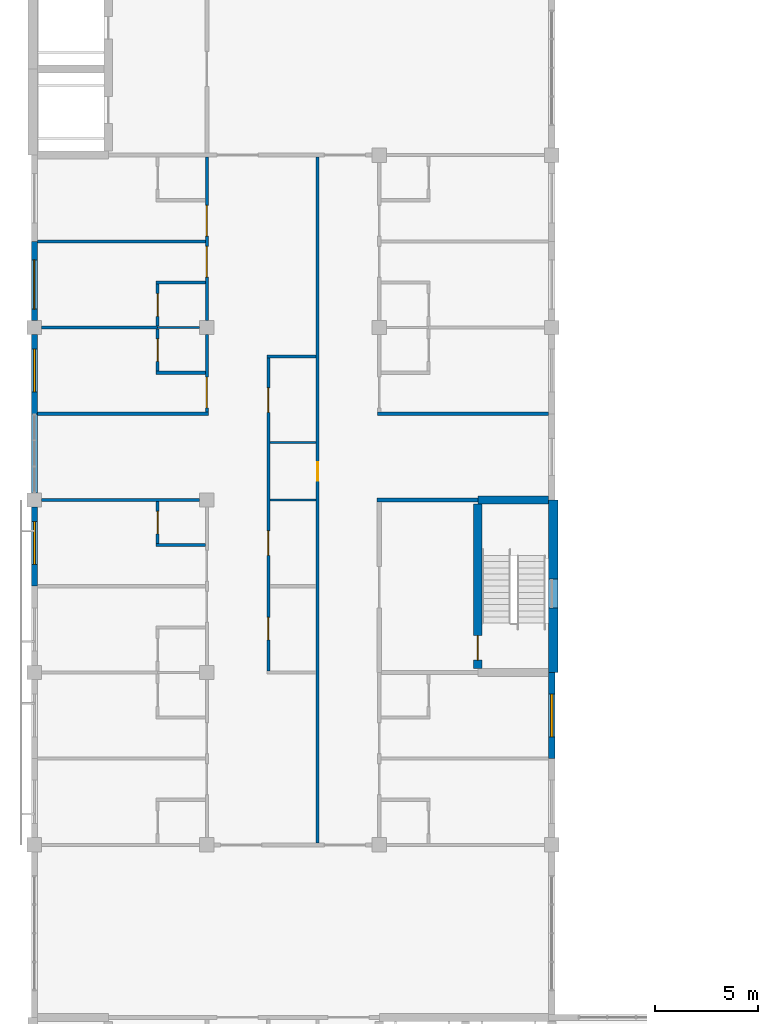
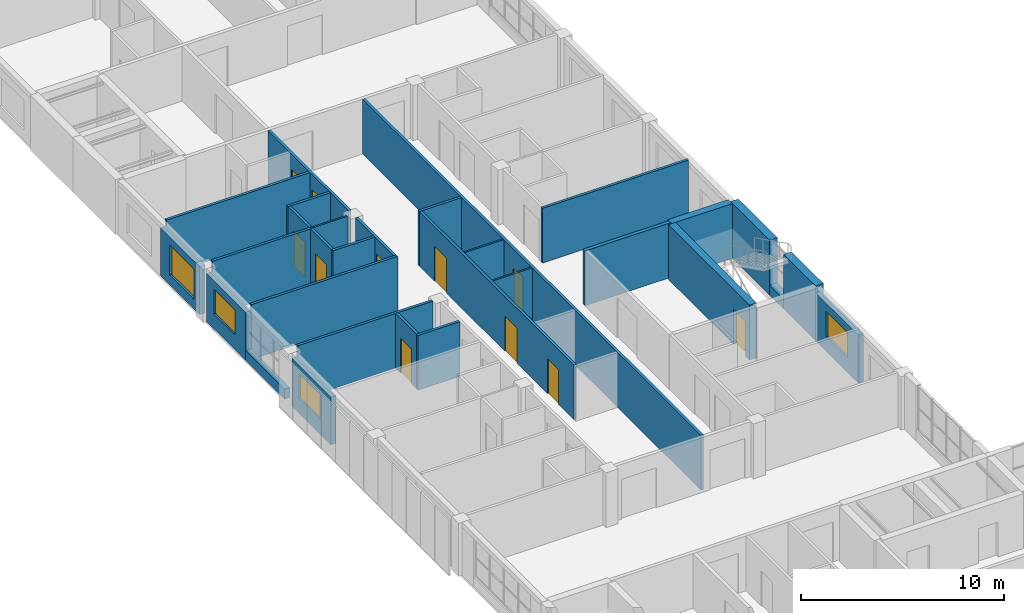
# One storey, part 30 of 48: 30 walls, 11 doors, 4 windows, 15 openings.
"""IFC4 building model written with IfcOpenShell, lengths in metres."""

from ifc_helpers import new_model, si_unit, direction, frame, frame_2d, origin, place, context, subcontext, project, spatial, rectangle, extrude, material, layer, layer_set, type_object, element, fill, save


model = new_model("IFC4")

# Units and contexts
model_context = context("Model", 3, precision=1e-05, world=origin(), true_north=direction((0.0, 1.0)))
body_context = subcontext(model_context, "Body", "Model", "MODEL_VIEW")
ifc_project = project(units=[si_unit("LENGTHUNIT", "METRE"), si_unit("AREAUNIT", "SQUARE_METRE"), si_unit("VOLUMEUNIT", "CUBIC_METRE"), si_unit("PLANEANGLEUNIT", "RADIAN"), si_unit("MASSUNIT", "GRAM", prefix="KILO")], contexts=[model_context])

# Site, building, storey
site_placement = place(None, origin())
site = spatial("IfcSite", under=ifc_project, at=site_placement, CompositionType="ELEMENT")
building_placement = place(site_placement, origin())
building = spatial("IfcBuilding", under=site, at=building_placement, Name="Yavir Park General Hospital", CompositionType="ELEMENT")
storey_placement = place(building_placement, frame((0.0, 0.0, 26.10009765625)))
storey = spatial("IfcBuildingStorey", under=building, at=storey_placement, Name="L06", CompositionType="ELEMENT", Elevation=26.10009765625)

# Walls
ifc_material_1 = material(Name="Double gypsum board fire partition on steel studs", Category="steel")
ifc_layer_1 = layer(ifc_material_1, 0.199951171875)
ifc_layer_set_1 = layer_set([ifc_layer_1], Name="Double gypsum board fire partition on steel studs")
wall_type_1 = type_object("IfcWallType", Name="Fire-rated partition 200, EI 60", PredefinedType="PARTITIONING", material=ifc_layer_set_1)
wall_1_placement = place(storey_placement, frame((16.699951171875, 50.39990234375, 0.0), z_axis=(0.0, 0.0, 1.0), x_axis=(1.0, 0.0, 0.0)))
element("IfcWall", 1, at=wall_1_placement, inside=storey, type_object=wall_type_1, Name="FP20 L06-079", PredefinedType="PARTITIONING", context=body_context, shape_type="SweptSolid", body=[
    extrude(rectangle(XDim=4.900146484375, YDim=0.199951171875, at=frame_2d((2.4501953125, 0.0))), origin(), (0.0, 0.0, 1.0), 3.2998046875),
])
ifc_material_2 = material(Name="Gypsum board partition on steel studs", Category="steel")
ifc_layer_2 = layer(ifc_material_2, 0.10009765625)
ifc_layer_set_2 = layer_set([ifc_layer_2], Name="Gypsum board partition on steel studs")
wall_type_2 = type_object("IfcWallType", Name="Gypsum board partition 100", PredefinedType="PARTITIONING", material=ifc_layer_set_2)
for number, where, z_axis, x_axis, name in (
    (2, (11.47509765625, 50.39990234375, 0.0), (0.0, 0.0, 1.0), (1.0, 0.0, 0.0), "P10 L06-078"),
    (3, (11.47509765625, 53.199951171875, 0.0), (0.0, 0.0, 1.0), (1.0, 0.0, 0.0), "P10 L06-081"),
):
    element("IfcWall", number, at=place(storey_placement, frame(where, z_axis=z_axis, x_axis=x_axis)), inside=storey, type_object=wall_type_2, Name=name, PredefinedType="PARTITIONING", context=body_context, shape_type="SweptSolid", body=[
        extrude(rectangle(XDim=2.25, YDim=0.10009765625, at=frame_2d((1.125, 0.0))), origin(), (0.0, 0.0, 1.0), 3.2998046875),
    ])
wall_2_placement = place(storey_placement, frame((6.0, 58.800048828125, 0.0), z_axis=(0.0, 0.0, 1.0), x_axis=(1.0, 0.0, 0.0)))
element("IfcWall", 4, at=wall_2_placement, inside=storey, type_object=wall_type_2, Name="P10 L06-088", PredefinedType="PARTITIONING", context=body_context, shape_type="SweptSolid", body=[
    extrude(rectangle(XDim=2.050048828125, YDim=0.10009765625, at=frame_2d((1.02490234375, 0.0))), origin(), (0.0, 0.0, 1.0), 3.2998046875),
])
ifc_material_3 = material(Name="Gypsum board partition on steel studs", Category="steel")
ifc_layer_3 = layer(ifc_material_3, 0.14990234375)
ifc_layer_set_3 = layer_set([ifc_layer_3], Name="Gypsum board partition on steel studs")
wall_type_3 = type_object("IfcWallType", Name="Gypsum board partition 150", PredefinedType="PARTITIONING", material=ifc_layer_set_3)
wall_3_placement = place(storey_placement, frame((5.925048828125, 48.199951171875, 0.0), z_axis=(0.0, 0.0, 1.0), x_axis=(1.0, 0.0, 0.0)))
element("IfcWall", 5, at=wall_3_placement, inside=storey, type_object=wall_type_3, Name="P15 L06-076", PredefinedType="PARTITIONING", context=body_context, shape_type="SweptSolid", body=[
    extrude(rectangle(XDim=2.39990234375, YDim=0.14990234375, at=frame_2d((1.199951171875, 0.0))), origin(), (0.0, 0.0, 1.0), 3.2998046875),
])
wall_4_placement = place(storey_placement, frame((0.35009765625, 50.39990234375, 0.0), z_axis=(0.0, 0.0, 1.0), x_axis=(1.0, 0.0, 0.0)))
element("IfcWall", 6, at=wall_4_placement, inside=storey, type_object=wall_type_3, Name="P15 L06-077", PredefinedType="PARTITIONING", context=body_context, shape_type="SweptSolid", body=[
    extrude(rectangle(XDim=7.699951171875, YDim=0.14990234375, at=frame_2d((3.85009765625, 0.0))), origin(), (0.0, 0.0, 1.0), 3.2998046875),
])
wall_5_placement = place(storey_placement, frame((0.14990234375, 54.60009765625, 0.0), z_axis=(0.0, 0.0, 1.0), x_axis=(1.0, 0.0, 0.0)))
element("IfcWall", 7, at=wall_5_placement, inside=storey, type_object=wall_type_3, Name="P15 L06-082", PredefinedType="PARTITIONING", context=body_context, shape_type="SweptSolid", body=[
    extrude(rectangle(XDim=8.3251953125, YDim=0.14990234375, at=frame_2d((4.16259765625, 0.0))), origin(), (0.0, 0.0, 1.0), 3.2998046875),
])
wall_6_placement = place(storey_placement, frame((16.72509765625, 54.60009765625, 0.0), z_axis=(0.0, 0.0, 1.0), x_axis=(1.0, 0.0, 0.0)))
element("IfcWall", 8, at=wall_6_placement, inside=storey, type_object=wall_type_3, Name="P15 L06-083", PredefinedType="PARTITIONING", context=body_context, shape_type="SweptSolid", body=[
    extrude(rectangle(XDim=8.324951171875, YDim=0.14990234375, at=frame_2d((4.16259765625, 0.0))), origin(), (0.0, 0.0, 1.0), 3.2998046875),
])
wall_7_placement = place(storey_placement, frame((5.925048828125, 56.60009765625, 0.0), z_axis=(0.0, 0.0, 1.0), x_axis=(1.0, 0.0, 0.0)))
element("IfcWall", 9, at=wall_7_placement, inside=storey, type_object=wall_type_3, Name="P15 L06-084", PredefinedType="PARTITIONING", context=body_context, shape_type="SweptSolid", body=[
    extrude(rectangle(XDim=2.39990234375, YDim=0.14990234375, at=frame_2d((1.199951171875, 0.0))), origin(), (0.0, 0.0, 1.0), 3.2998046875),
])
wall_8_placement = place(storey_placement, frame((11.324951171875, 57.39990234375, 0.0), z_axis=(0.0, 0.0, 1.0), x_axis=(1.0, 0.0, 0.0)))
element("IfcWall", 10, at=wall_8_placement, inside=storey, type_object=wall_type_3, Name="P15 L06-086", PredefinedType="PARTITIONING", context=body_context, shape_type="SweptSolid", body=[
    extrude(rectangle(XDim=2.400146484375, YDim=0.14990234375, at=frame_2d((1.2001953125, 0.0))), origin(), (0.0, 0.0, 1.0), 3.2998046875),
])
wall_9_placement = place(storey_placement, frame((0.35009765625, 58.800048828125, 0.0), z_axis=(0.0, 0.0, 1.0), x_axis=(1.0, 0.0, 0.0)))
element("IfcWall", 11, at=wall_9_placement, inside=storey, type_object=wall_type_3, Name="P15 L06-087", PredefinedType="PARTITIONING", context=body_context, shape_type="SweptSolid", body=[
    extrude(rectangle(XDim=5.64990234375, YDim=0.14990234375, at=frame_2d((2.824951171875, 0.0))), origin(), (0.0, 0.0, 1.0), 3.2998046875),
])
wall_10_placement = place(storey_placement, frame((5.925048828125, 61.0, 0.0), z_axis=(0.0, 0.0, 1.0), x_axis=(1.0, 0.0, 0.0)))
element("IfcWall", 12, at=wall_10_placement, inside=storey, type_object=wall_type_3, Name="P15 L06-091", PredefinedType="PARTITIONING", context=body_context, shape_type="SweptSolid", body=[
    extrude(rectangle(XDim=2.39990234375, YDim=0.14990234375, at=frame_2d((1.199951171875, 0.0))), origin(), (0.0, 0.0, 1.0), 3.2998046875),
])
wall_11_placement = place(storey_placement, frame((0.14990234375, 63.0, 0.0), z_axis=(0.0, 0.0, 1.0), x_axis=(1.0, 0.0, 0.0)))
element("IfcWall", 13, at=wall_11_placement, inside=storey, type_object=wall_type_3, Name="P15 L06-093", PredefinedType="PARTITIONING", context=body_context, shape_type="SweptSolid", body=[
    extrude(rectangle(XDim=8.175048828125, YDim=0.14990234375, at=frame_2d((4.08740234375, 0.0))), origin(), (0.0, 0.0, 1.0), 3.2998046875),
])

# Wall, opening, door
wall_12_placement = place(storey_placement, frame((6.0, 48.27490234375, 0.0), z_axis=(0.0, 0.0, 1.0), x_axis=(0.0, 1.0, 0.0)))
wall_12 = element("IfcWall", 14, at=wall_12_placement, inside=storey, type_object=wall_type_3, Name="P15 L06-140", PredefinedType="PARTITIONING", context=body_context, shape_type="SweptSolid", body=[
    extrude(rectangle(XDim=2.050048828125, YDim=0.14990234375, at=frame_2d((1.02490234375, 0.0))), origin(), (0.0, 0.0, 1.0), 3.2998046875),
])
opening_1_placement = place(wall_12_placement, frame((0.47509765625, 0.0, 0.0)))
opening_1 = element("IfcOpeningElement", 15, at=opening_1_placement, cuts=wall_12, Name="Opening L06.D080", PredefinedType="OPENING", context=body_context, shape_type="SweptSolid", body=[
    extrude(rectangle(XDim=1.10009765625, YDim=2.10009765625, at=frame_2d((0.550048828125, 1.050048828125))), frame((0.0, 0.0849609375, 0.0), z_axis=(0.0, -1.0, 0.0), x_axis=(1.0, 0.0, 0.0)), (0.0, 0.0, 1.0), 0.169921875),
])
ifc_material_4 = material(Name="Hollow metal frame, solid-core timber leaf", Category="wood")
door_type_1 = type_object("IfcDoorType", Name="Single swing door 1100 x 2100", OperationType="SINGLE_SWING_LEFT", PredefinedType="DOOR", material=ifc_material_4)
door_1_placement = place(opening_1_placement, origin())
door_1 = element("IfcDoor", 16, at=door_1_placement, inside=storey, type_object=door_type_1, Name="L06.D080", OperationType="SINGLE_SWING_LEFT", OverallHeight=2.10009765625, OverallWidth=1.10009765625, PredefinedType="DOOR", context=body_context, shape_type="SweptSolid", body=[
    extrude(rectangle(XDim=1.10009765625, YDim=2.10009765625, at=frame_2d((0.550048828125, 1.050048828125))), frame((0.0, 0.02490234375, 0.0), z_axis=(0.0, -1.0, 0.0), x_axis=(1.0, 0.0, 0.0)), (0.0, 0.0, 1.0), 0.050048828125),
])
fill(opening_1, door_1)

wall_13_placement = place(storey_placement, frame((6.0, 56.675048828125, 0.0), z_axis=(0.0, 0.0, 1.0), x_axis=(0.0, 1.0, 0.0)))
wall_13 = element("IfcWall", 17, at=wall_13_placement, inside=storey, type_object=wall_type_3, Name="P15 L06-141", PredefinedType="PARTITIONING", context=body_context, shape_type="SweptSolid", body=[
    extrude(rectangle(XDim=2.050048828125, YDim=0.14990234375, at=frame_2d((1.02490234375, 0.0))), origin(), (0.0, 0.0, 1.0), 3.2998046875),
])
opening_2_placement = place(wall_13_placement, frame((0.47509765625, 0.0, 0.0)))
opening_2 = element("IfcOpeningElement", 18, at=opening_2_placement, cuts=wall_13, Name="Opening L06.D081", PredefinedType="OPENING", context=body_context, shape_type="SweptSolid", body=[
    extrude(rectangle(XDim=1.10009765625, YDim=2.10009765625, at=frame_2d((0.550048828125, 1.050048828125))), frame((0.0, 0.0849609375, 0.0), z_axis=(0.0, -1.0, 0.0), x_axis=(1.0, 0.0, 0.0)), (0.0, 0.0, 1.0), 0.169921875),
])
door_2_placement = place(opening_2_placement, origin())
door_2 = element("IfcDoor", 19, at=door_2_placement, inside=storey, type_object=door_type_1, Name="L06.D081", OperationType="SINGLE_SWING_LEFT", OverallHeight=2.10009765625, OverallWidth=1.10009765625, PredefinedType="DOOR", context=body_context, shape_type="SweptSolid", body=[
    extrude(rectangle(XDim=1.10009765625, YDim=2.10009765625, at=frame_2d((0.550048828125, 1.050048828125))), frame((0.0, 0.02490234375, 0.0), z_axis=(0.0, -1.0, 0.0), x_axis=(1.0, 0.0, 0.0)), (0.0, 0.0, 1.0), 0.050048828125),
])
fill(opening_2, door_2)

wall_14_placement = place(storey_placement, frame((6.0, 58.875, 0.0), z_axis=(0.0, 0.0, 1.0), x_axis=(0.0, 1.0, 0.0)))
wall_14 = element("IfcWall", 20, at=wall_14_placement, inside=storey, type_object=wall_type_3, Name="P15 L06-142", PredefinedType="PARTITIONING", context=body_context, shape_type="SweptSolid", body=[
    extrude(rectangle(XDim=2.050048828125, YDim=0.14990234375, at=frame_2d((1.02490234375, 0.0))), origin(), (0.0, 0.0, 1.0), 3.2998046875),
])
opening_3_placement = place(wall_14_placement, frame((0.47509765625, 0.0, 0.0)))
opening_3 = element("IfcOpeningElement", 21, at=opening_3_placement, cuts=wall_14, Name="Opening L06.D082", PredefinedType="OPENING", context=body_context, shape_type="SweptSolid", body=[
    extrude(rectangle(XDim=1.10009765625, YDim=2.10009765625, at=frame_2d((0.550048828125, 1.050048828125))), frame((0.0, 0.0849609375, 0.0), z_axis=(0.0, -1.0, 0.0), x_axis=(1.0, 0.0, 0.0)), (0.0, 0.0, 1.0), 0.169921875),
])
door_3_placement = place(opening_3_placement, origin())
door_3 = element("IfcDoor", 22, at=door_3_placement, inside=storey, type_object=door_type_1, Name="L06.D082", OperationType="SINGLE_SWING_RIGHT", OverallHeight=2.10009765625, OverallWidth=1.10009765625, PredefinedType="DOOR", context=body_context, shape_type="SweptSolid", body=[
    extrude(rectangle(XDim=1.10009765625, YDim=2.10009765625, at=frame_2d((0.550048828125, 1.050048828125))), frame((0.0, 0.02490234375, 0.0), z_axis=(0.0, -1.0, 0.0), x_axis=(1.0, 0.0, 0.0)), (0.0, 0.0, 1.0), 0.050048828125),
])
fill(opening_3, door_3)

wall_15_placement = place(storey_placement, frame((8.39990234375, 54.675048828125, 0.0), z_axis=(0.0, 0.0, 1.0), x_axis=(0.0, 1.0, 0.0)))
wall_15 = element("IfcWall", 23, at=wall_15_placement, inside=storey, type_object=wall_type_3, Name="P15 L06-153", PredefinedType="PARTITIONING", context=body_context, shape_type="SweptSolid", body=[
    extrude(rectangle(XDim=3.77490234375, YDim=0.14990234375, at=frame_2d((1.887451171875, 0.0))), origin(), (0.0, 0.0, 1.0), 3.2998046875),
])
opening_4_placement = place(wall_15_placement, frame((0.21240234375, 0.0, 0.0)))
opening_4 = element("IfcOpeningElement", 24, at=opening_4_placement, cuts=wall_15, Name="Opening L06.D090", PredefinedType="OPENING", context=body_context, shape_type="SweptSolid", body=[
    extrude(rectangle(XDim=1.5, YDim=2.39990234375, at=frame_2d((0.75, 1.199951171875))), frame((0.0, 0.0849609375, 0.0), z_axis=(0.0, -1.0, 0.0), x_axis=(1.0, 0.0, 0.0)), (0.0, 0.0, 1.0), 0.169921875),
])
ifc_material_5 = material(Name="Solid-core timber leaves, push plates, kick plates", Category="wood")
door_type_2 = type_object("IfcDoorType", Name="Bed door, unequal leaves 1500 x 2400", OperationType="DOUBLE_DOOR_SINGLE_SWING", PredefinedType="DOOR", material=ifc_material_5)
door_4_placement = place(opening_4_placement, origin())
door_4 = element("IfcDoor", 25, at=door_4_placement, inside=storey, type_object=door_type_2, Name="L06.D090", OperationType="SINGLE_SWING_LEFT", OverallHeight=2.39990234375, OverallWidth=1.5, PredefinedType="DOOR", context=body_context, shape_type="SweptSolid", body=[
    extrude(rectangle(XDim=1.5, YDim=2.39990234375, at=frame_2d((0.75, 1.199951171875))), frame((0.0, 0.030029296875, 0.0), z_axis=(0.0, -1.0, 0.0), x_axis=(1.0, 0.0, 0.0)), (0.0, 0.0, 1.0), 0.06005859375),
])
fill(opening_4, door_4)

# Wall, openings, doors
wall_16_placement = place(storey_placement, frame((8.39990234375, 59.14990234375, 0.0), z_axis=(0.0, 0.0, 1.0), x_axis=(0.0, 1.0, 0.0)))
wall_16 = element("IfcWall", 26, at=wall_16_placement, inside=storey, type_object=wall_type_3, Name="P15 L06-154", PredefinedType="PARTITIONING", context=body_context, shape_type="SweptSolid", body=[
    extrude(rectangle(XDim=7.9501953125, YDim=0.14990234375, at=frame_2d((3.97509765625, 0.0))), origin(), (0.0, 0.0, 1.0), 3.2998046875),
])
opening_5_placement = place(wall_16_placement, frame((2.10009765625, 0.0, 0.0)))
opening_5 = element("IfcOpeningElement", 27, at=opening_5_placement, cuts=wall_16, Name="Opening L06.D091", PredefinedType="OPENING", context=body_context, shape_type="SweptSolid", body=[
    extrude(rectangle(XDim=1.5, YDim=2.39990234375, at=frame_2d((0.75, 1.199951171875))), frame((0.0, 0.0849609375, 0.0), z_axis=(0.0, -1.0, 0.0), x_axis=(1.0, 0.0, 0.0)), (0.0, 0.0, 1.0), 0.169921875),
])
opening_6_placement = place(wall_16_placement, frame((4.10009765625, 0.0, 0.0)))
opening_6 = element("IfcOpeningElement", 28, at=opening_6_placement, cuts=wall_16, Name="Opening L06.D092", PredefinedType="OPENING", context=body_context, shape_type="SweptSolid", body=[
    extrude(rectangle(XDim=1.5, YDim=2.39990234375, at=frame_2d((0.75, 1.199951171875))), frame((0.0, 0.0849609375, 0.0), z_axis=(0.0, -1.0, 0.0), x_axis=(1.0, 0.0, 0.0)), (0.0, 0.0, 1.0), 0.169921875),
])
door_5_placement = place(opening_5_placement, origin())
door_5 = element("IfcDoor", 29, at=door_5_placement, inside=storey, type_object=door_type_2, Name="L06.D091", OperationType="SINGLE_SWING_RIGHT", OverallHeight=2.39990234375, OverallWidth=1.5, PredefinedType="DOOR", context=body_context, shape_type="SweptSolid", body=[
    extrude(rectangle(XDim=1.5, YDim=2.39990234375, at=frame_2d((0.75, 1.199951171875))), frame((0.0, 0.030029296875, 0.0), z_axis=(0.0, -1.0, 0.0), x_axis=(1.0, 0.0, 0.0)), (0.0, 0.0, 1.0), 0.06005859375),
])
fill(opening_5, door_5)
door_6_placement = place(opening_6_placement, origin())
door_6 = element("IfcDoor", 30, at=door_6_placement, inside=storey, type_object=door_type_2, Name="L06.D092", OperationType="SINGLE_SWING_RIGHT", OverallHeight=2.39990234375, OverallWidth=1.5, PredefinedType="DOOR", context=body_context, shape_type="SweptSolid", body=[
    extrude(rectangle(XDim=1.5, YDim=2.39990234375, at=frame_2d((0.75, 1.199951171875))), frame((0.0, 0.030029296875, 0.0), z_axis=(0.0, -1.0, 0.0), x_axis=(1.0, 0.0, 0.0)), (0.0, 0.0, 1.0), 0.06005859375),
])
fill(opening_6, door_6)

wall_17_placement = place(storey_placement, frame((11.39990234375, 42.074951171875, 0.0), z_axis=(0.0, 0.0, 1.0), x_axis=(0.0, 1.0, 0.0)))
wall_17 = element("IfcWall", 31, at=wall_17_placement, inside=storey, type_object=wall_type_3, Name="P15 L06-165", PredefinedType="PARTITIONING", context=body_context, shape_type="SweptSolid", body=[
    extrude(rectangle(XDim=15.25, YDim=0.14990234375, at=frame_2d((7.625, 0.0))), origin(), (0.0, 0.0, 1.0), 3.2998046875),
])
opening_7_placement = place(wall_17_placement, frame((1.512451171875, 0.0, 0.0)))
opening_7 = element("IfcOpeningElement", 32, at=opening_7_placement, cuts=wall_17, Name="Opening L06.D103", PredefinedType="OPENING", context=body_context, shape_type="SweptSolid", body=[
    extrude(rectangle(XDim=1.10009765625, YDim=2.10009765625, at=frame_2d((0.550048828125, 1.050048828125))), frame((0.0, 0.0849609375, 0.0), z_axis=(0.0, -1.0, 0.0), x_axis=(1.0, 0.0, 0.0)), (0.0, 0.0, 1.0), 0.169921875),
])
opening_8_placement = place(wall_17_placement, frame((5.625, 0.0, 0.0)))
opening_8 = element("IfcOpeningElement", 33, at=opening_8_placement, cuts=wall_17, Name="Opening L06.D104", PredefinedType="OPENING", context=body_context, shape_type="SweptSolid", body=[
    extrude(rectangle(XDim=1.199951171875, YDim=2.10009765625, at=frame_2d((0.60009765625, 1.050048828125))), frame((0.0, 0.0849609375, 0.0), z_axis=(0.0, -1.0, 0.0), x_axis=(1.0, 0.0, 0.0)), (0.0, 0.0, 1.0), 0.169921875),
])
opening_9_placement = place(wall_17_placement, frame((12.58740234375, 0.0, 0.0)))
opening_9 = element("IfcOpeningElement", 34, at=opening_9_placement, cuts=wall_17, Name="Opening L06.D105", PredefinedType="OPENING", context=body_context, shape_type="SweptSolid", body=[
    extrude(rectangle(XDim=1.199951171875, YDim=2.10009765625, at=frame_2d((0.60009765625, 1.050048828125))), frame((0.0, 0.0849609375, 0.0), z_axis=(0.0, -1.0, 0.0), x_axis=(1.0, 0.0, 0.0)), (0.0, 0.0, 1.0), 0.169921875),
])
door_7_placement = place(opening_7_placement, origin())
door_7 = element("IfcDoor", 35, at=door_7_placement, inside=storey, type_object=door_type_1, Name="L06.D103", OperationType="SINGLE_SWING_RIGHT", OverallHeight=2.10009765625, OverallWidth=1.10009765625, PredefinedType="DOOR", context=body_context, shape_type="SweptSolid", body=[
    extrude(rectangle(XDim=1.10009765625, YDim=2.10009765625, at=frame_2d((0.550048828125, 1.050048828125))), frame((0.0, 0.02490234375, 0.0), z_axis=(0.0, -1.0, 0.0), x_axis=(1.0, 0.0, 0.0)), (0.0, 0.0, 1.0), 0.050048828125),
])
fill(opening_7, door_7)
ifc_material_6 = material(Name="Hollow metal frame, solid-core timber leaf", Category="wood")
door_type_3 = type_object("IfcDoorType", Name="Single swing door 1200 x 2100", OperationType="SINGLE_SWING_LEFT", PredefinedType="DOOR", material=ifc_material_6)
door_8_placement = place(opening_8_placement, origin())
door_8 = element("IfcDoor", 36, at=door_8_placement, inside=storey, type_object=door_type_3, Name="L06.D104", OperationType="SINGLE_SWING_LEFT", OverallHeight=2.10009765625, OverallWidth=1.199951171875, PredefinedType="DOOR", context=body_context, shape_type="SweptSolid", body=[
    extrude(rectangle(XDim=1.199951171875, YDim=2.10009765625, at=frame_2d((0.60009765625, 1.050048828125))), frame((0.0, 0.02490234375, 0.0), z_axis=(0.0, -1.0, 0.0), x_axis=(1.0, 0.0, 0.0)), (0.0, 0.0, 1.0), 0.050048828125),
])
fill(opening_8, door_8)
door_9_placement = place(opening_9_placement, origin())
door_9 = element("IfcDoor", 37, at=door_9_placement, inside=storey, type_object=door_type_3, Name="L06.D105", OperationType="SINGLE_SWING_RIGHT", OverallHeight=2.10009765625, OverallWidth=1.199951171875, PredefinedType="DOOR", context=body_context, shape_type="SweptSolid", body=[
    extrude(rectangle(XDim=1.199951171875, YDim=2.10009765625, at=frame_2d((0.60009765625, 1.050048828125))), frame((0.0, 0.02490234375, 0.0), z_axis=(0.0, -1.0, 0.0), x_axis=(1.0, 0.0, 0.0)), (0.0, 0.0, 1.0), 0.050048828125),
])
fill(opening_9, door_9)

# Wall, opening, door
wall_18_placement = place(storey_placement, frame((13.800048828125, 33.699951171875, 0.0), z_axis=(0.0, 0.0, 1.0), x_axis=(0.0, 1.0, 0.0)))
wall_18 = element("IfcWall", 38, at=wall_18_placement, inside=storey, type_object=wall_type_3, Name="P15 L06-170", PredefinedType="PARTITIONING", context=body_context, shape_type="SweptSolid", body=[
    extrude(rectangle(XDim=33.400146484375, YDim=0.14990234375, at=frame_2d((16.7001953125, 0.0))), origin(), (0.0, 0.0, 1.0), 3.2998046875),
])
opening_10_placement = place(wall_18_placement, frame((17.64990234375, 0.0, 0.0)))
opening_10 = element("IfcOpeningElement", 39, at=opening_10_placement, cuts=wall_18, Name="Opening L06.D109", PredefinedType="OPENING", context=body_context, shape_type="SweptSolid", body=[
    extrude(rectangle(XDim=0.89990234375, YDim=2.10009765625, at=frame_2d((0.449951171875, 1.050048828125))), frame((0.0, 0.0849609375, 0.0), z_axis=(0.0, -1.0, 0.0), x_axis=(1.0, 0.0, 0.0)), (0.0, 0.0, 1.0), 0.169921875),
])
ifc_material_7 = material(Name="Timber frame, hollow-core leaf", Category="wood")
door_type_4 = type_object("IfcDoorType", Name="Light cupboard door 900 x 2100", OperationType="SINGLE_SWING_LEFT", PredefinedType="DOOR", material=ifc_material_7)
door_10_placement = place(opening_10_placement, origin())
door_10 = element("IfcDoor", 40, at=door_10_placement, inside=storey, type_object=door_type_4, Name="L06.D109", OperationType="SINGLE_SWING_RIGHT", OverallHeight=2.10009765625, OverallWidth=0.89990234375, PredefinedType="DOOR", context=body_context, shape_type="SweptSolid", body=[
    extrude(rectangle(XDim=0.89990234375, YDim=2.10009765625, at=frame_2d((0.449951171875, 1.050048828125))), frame((0.0, 0.02001953125, 0.0), z_axis=(0.0, -1.0, 0.0), x_axis=(1.0, 0.0, 0.0)), (0.0, 0.0, 1.0), 0.0400390625),
])
fill(opening_10, door_10)

# Wall, opening, window
ifc_material_8 = material(Name="Autoclaved aerated block, mineral wool and ochre mineral render")
ifc_layer_4 = layer(ifc_material_8, 0.300048828125)
ifc_layer_set_4 = layer_set([ifc_layer_4], Name="Autoclaved aerated block, mineral wool and ochre mineral render")
wall_type_4 = type_object("IfcWallType", Name="Ochre render ward wall 300, E 30", PredefinedType="SOLIDWALL", material=ifc_layer_set_4)
wall_19_placement = place(storey_placement, frame((0.0, 46.199951171875, 0.0), z_axis=(0.0, 0.0, 1.0), x_axis=(0.0, 1.0, 0.0)))
wall_19 = element("IfcWall", 41, at=wall_19_placement, inside=storey, type_object=wall_type_4, Name="XW7 L06-083", PredefinedType="SOLIDWALL", context=body_context, shape_type="SweptSolid", body=[
    extrude(rectangle(XDim=3.85009765625, YDim=0.300048828125, at=frame_2d((1.925048828125, 0.0))), origin(), (0.0, 0.0, 1.0), 2.89990234375),
])
opening_11_placement = place(wall_19_placement, frame((1.050048828125, 0.0, 0.89990234375)))
opening_11 = element("IfcOpeningElement", 42, at=opening_11_placement, cuts=wall_19, Name="Opening WAR", PredefinedType="OPENING", context=body_context, shape_type="SweptSolid", body=[
    extrude(rectangle(XDim=2.10009765625, YDim=1.5, at=frame_2d((1.050048828125, 0.75))), frame((0.0, 0.159912109375, 0.0), z_axis=(0.0, -1.0, 0.0), x_axis=(1.0, 0.0, 0.0)), (0.0, 0.0, 1.0), 0.320068359375),
])
ifc_material_9 = material(Name="Aluminium frame, tilt-and-turn sash with opening restrictor, double glazed unit", Category="aluminium")
window_type_1 = type_object("IfcWindowType", Name="Ward window, restricted opening 2100 x 1500", PartitioningType="DOUBLE_PANEL_VERTICAL", PredefinedType="WINDOW", material=ifc_material_9)
window_1_placement = place(opening_11_placement, origin())
window_1 = element("IfcWindow", 43, at=window_1_placement, inside=storey, type_object=window_type_1, Name="WAR L06-029", OverallHeight=1.5, OverallWidth=2.10009765625, PartitioningType="DOUBLE_PANEL_VERTICAL", PredefinedType="WINDOW", context=body_context, shape_type="SweptSolid", body=[
    extrude(rectangle(XDim=2.10009765625, YDim=1.5, at=frame_2d((1.050048828125, 0.75))), frame((0.0, 0.050048828125, 0.0), z_axis=(0.0, -1.0, 0.0), x_axis=(1.0, 0.0, 0.0)), (0.0, 0.0, 1.0), 0.10009765625),
])
fill(opening_11, window_1)

# Wall
wall_20_placement = place(storey_placement, frame((0.0, 50.75, 0.0), z_axis=(0.0, 0.0, 1.0), x_axis=(0.0, 1.0, 0.0)))
element("IfcWall", 44, at=wall_20_placement, inside=storey, type_object=wall_type_4, Name="XW7 L06-084", PredefinedType="SOLIDWALL", context=body_context, shape_type="SweptSolid", body=[
    extrude(rectangle(XDim=3.85009765625, YDim=0.300048828125, at=frame_2d((1.925048828125, 0.0))), origin(), (0.0, 0.0, 1.0), 0.599853515625),
])

# Wall, opening, window
wall_21_placement = place(storey_placement, frame((0.0, 54.60009765625, 0.0), z_axis=(0.0, 0.0, 1.0), x_axis=(0.0, 1.0, 0.0)))
wall_21 = element("IfcWall", 45, at=wall_21_placement, inside=storey, type_object=wall_type_4, Name="XW7 L06-085", PredefinedType="SOLIDWALL", context=body_context, shape_type="SweptSolid", body=[
    extrude(rectangle(XDim=3.849853515625, YDim=0.300048828125, at=frame_2d((1.9248046875, 0.0))), origin(), (0.0, 0.0, 1.0), 2.89990234375),
])
opening_12_placement = place(wall_21_placement, frame((1.050048828125, 0.0, 0.89990234375)))
opening_12 = element("IfcOpeningElement", 46, at=opening_12_placement, cuts=wall_21, Name="Opening WAR", PredefinedType="OPENING", context=body_context, shape_type="SweptSolid", body=[
    extrude(rectangle(XDim=2.10009765625, YDim=1.5, at=frame_2d((1.050048828125, 0.75))), frame((0.0, 0.159912109375, 0.0), z_axis=(0.0, -1.0, 0.0), x_axis=(1.0, 0.0, 0.0)), (0.0, 0.0, 1.0), 0.320068359375),
])
window_2_placement = place(opening_12_placement, origin())
window_2 = element("IfcWindow", 47, at=window_2_placement, inside=storey, type_object=window_type_1, Name="WAR L06-030", OverallHeight=1.5, OverallWidth=2.10009765625, PartitioningType="DOUBLE_PANEL_VERTICAL", PredefinedType="WINDOW", context=body_context, shape_type="SweptSolid", body=[
    extrude(rectangle(XDim=2.10009765625, YDim=1.5, at=frame_2d((1.050048828125, 0.75))), frame((0.0, 0.050048828125, 0.0), z_axis=(0.0, -1.0, 0.0), x_axis=(1.0, 0.0, 0.0)), (0.0, 0.0, 1.0), 0.10009765625),
])
fill(opening_12, window_2)

wall_22_placement = place(storey_placement, frame((0.0, 59.14990234375, 0.0), z_axis=(0.0, 0.0, 1.0), x_axis=(0.0, 1.0, 0.0)))
wall_22 = element("IfcWall", 48, at=wall_22_placement, inside=storey, type_object=wall_type_4, Name="XW7 L06-086", PredefinedType="SOLIDWALL", context=body_context, shape_type="SweptSolid", body=[
    extrude(rectangle(XDim=3.85009765625, YDim=0.300048828125, at=frame_2d((1.925048828125, 0.0))), origin(), (0.0, 0.0, 1.0), 2.89990234375),
])
opening_13_placement = place(wall_22_placement, frame((0.550048828125, 0.0, 0.60009765625)))
opening_13 = element("IfcOpeningElement", 49, at=opening_13_placement, cuts=wall_22, Name="Opening WR", PredefinedType="OPENING", context=body_context, shape_type="SweptSolid", body=[
    extrude(rectangle(XDim=2.39990234375, YDim=1.800048828125, at=frame_2d((1.199951171875, 0.89990234375))), frame((0.0, 0.159912109375, 0.0), z_axis=(0.0, -1.0, 0.0), x_axis=(1.0, 0.0, 0.0)), (0.0, 0.0, 1.0), 0.320068359375),
])
ifc_material_10 = material(Name="Aluminium frame, double glazed unit", Category="aluminium")
window_type_2 = type_object("IfcWindowType", Name="Therapy room window 2400 x 1800", PartitioningType="DOUBLE_PANEL_VERTICAL", PredefinedType="WINDOW", material=ifc_material_10)
window_3_placement = place(opening_13_placement, origin())
window_3 = element("IfcWindow", 50, at=window_3_placement, inside=storey, type_object=window_type_2, Name="WR L06-031", OverallHeight=1.800048828125, OverallWidth=2.39990234375, PartitioningType="DOUBLE_PANEL_VERTICAL", PredefinedType="WINDOW", context=body_context, shape_type="SweptSolid", body=[
    extrude(rectangle(XDim=2.39990234375, YDim=1.800048828125, at=frame_2d((1.199951171875, 0.89990234375))), frame((0.0, 0.030029296875, 0.0), z_axis=(0.0, -1.0, 0.0), x_axis=(1.0, 0.0, 0.0)), (0.0, 0.0, 1.0), 0.06005859375),
])
fill(opening_13, window_3)

wall_23_placement = place(storey_placement, frame((25.199951171875, 37.800048828125, 0.0), z_axis=(0.0, 0.0, 1.0), x_axis=(0.0, 1.0, 0.0)))
wall_23 = element("IfcWall", 51, at=wall_23_placement, inside=storey, type_object=wall_type_4, Name="XW7 L06-103", PredefinedType="SOLIDWALL", context=body_context, shape_type="SweptSolid", body=[
    extrude(rectangle(XDim=4.199951171875, YDim=0.300048828125, at=frame_2d((2.10009765625, 0.0))), origin(), (0.0, 0.0, 1.0), 2.89990234375),
])
opening_14_placement = place(wall_23_placement, frame((1.050048828125, 0.0, 0.89990234375)))
opening_14 = element("IfcOpeningElement", 52, at=opening_14_placement, cuts=wall_23, Name="Opening WAR", PredefinedType="OPENING", context=body_context, shape_type="SweptSolid", body=[
    extrude(rectangle(XDim=2.10009765625, YDim=1.5, at=frame_2d((1.050048828125, 0.75))), frame((0.0, 0.159912109375, 0.0), z_axis=(0.0, -1.0, 0.0), x_axis=(1.0, 0.0, 0.0)), (0.0, 0.0, 1.0), 0.320068359375),
])
window_4_placement = place(opening_14_placement, origin())
window_4 = element("IfcWindow", 53, at=window_4_placement, inside=storey, type_object=window_type_1, Name="WAR L06-044", OverallHeight=1.5, OverallWidth=2.10009765625, PartitioningType="DOUBLE_PANEL_VERTICAL", PredefinedType="WINDOW", context=body_context, shape_type="SweptSolid", body=[
    extrude(rectangle(XDim=2.10009765625, YDim=1.5, at=frame_2d((1.050048828125, 0.75))), frame((0.0, 0.050048828125, 0.0), z_axis=(0.0, -1.0, 0.0), x_axis=(1.0, 0.0, 0.0)), (0.0, 0.0, 1.0), 0.10009765625),
])
fill(opening_14, window_4)

# Wall
ifc_material_11 = material(Name="Concrete C35/45", Category="concrete")
ifc_layer_5 = layer(ifc_material_11, 0.39990234375)
ifc_layer_set_5 = layer_set([ifc_layer_5], Name="Concrete C35/45")
wall_type_5 = type_object("IfcWallType", Name="Reinforced concrete core wall 400, REI 150", PredefinedType="SHEAR", material=ifc_layer_set_5)
wall_24_placement = place(storey_placement, frame((21.60009765625, 50.39990234375, 0.0), z_axis=(0.0, 0.0, 1.0), x_axis=(1.0, 0.0, 0.0)))
element("IfcWall", 54, at=wall_24_placement, inside=storey, type_object=wall_type_5, Name="CW40 L06-080", PredefinedType="SHEAR", context=body_context, shape_type="SweptSolid", body=[
    extrude(rectangle(XDim=3.449951171875, YDim=0.39990234375, at=frame_2d((1.72509765625, 0.0))), origin(), (0.0, 0.0, 1.0), 3.2998046875),
])

# Wall, opening, door
wall_25_placement = place(storey_placement, frame((21.60009765625, 42.199951171875, 0.0), z_axis=(0.0, 0.0, 1.0), x_axis=(0.0, 1.0, 0.0)))
wall_25 = element("IfcWall", 55, at=wall_25_placement, inside=storey, type_object=wall_type_5, Name="CW40 L06-195", PredefinedType="SHEAR", context=body_context, shape_type="SweptSolid", body=[
    extrude(rectangle(XDim=8.0, YDim=0.39990234375, at=frame_2d((4.0, 0.0))), origin(), (0.0, 0.0, 1.0), 3.2998046875),
])
opening_15_placement = place(wall_25_placement, frame((0.39990234375, 0.0, 0.0)))
opening_15 = element("IfcOpeningElement", 56, at=opening_15_placement, cuts=wall_25, Name="Opening L06.D133", PredefinedType="OPENING", context=body_context, shape_type="SweptSolid", body=[
    extrude(rectangle(XDim=1.199951171875, YDim=2.10009765625, at=frame_2d((0.60009765625, 1.050048828125))), frame((0.0, 0.2099609375, 0.0), z_axis=(0.0, -1.0, 0.0), x_axis=(1.0, 0.0, 0.0)), (0.0, 0.0, 1.0), 0.419921875),
])
ifc_material_12 = material(Name="Steel frame, fire-resisting timber leaf", Category="steel")
door_type_5 = type_object("IfcDoorType", Name="Fire door 1200 x 2100, EI 60", OperationType="SINGLE_SWING_LEFT", PredefinedType="DOOR", material=ifc_material_12)
door_11_placement = place(opening_15_placement, origin())
door_11 = element("IfcDoor", 57, at=door_11_placement, inside=storey, type_object=door_type_5, Name="L06.D133", OperationType="SINGLE_SWING_LEFT", OverallHeight=2.10009765625, OverallWidth=1.199951171875, PredefinedType="DOOR", context=body_context, shape_type="SweptSolid", body=[
    extrude(rectangle(XDim=1.199951171875, YDim=2.10009765625, at=frame_2d((0.60009765625, 1.050048828125))), frame((0.0, 0.02490234375, 0.0), z_axis=(0.0, -1.0, 0.0), x_axis=(1.0, 0.0, 0.0)), (0.0, 0.0, 1.0), 0.050048828125),
])
fill(opening_15, door_11)

# Walls
ifc_material_13 = material(Name="Concrete C30/37 precast panel with 150 mm mineral wool insulation", Category="concrete")
ifc_layer_6 = layer(ifc_material_13, 0.449951171875)
ifc_layer_set_6 = layer_set([ifc_layer_6], Name="Concrete C30/37 precast panel with 150 mm mineral wool insulation")
wall_type_6 = type_object("IfcWallType", Name="Stair enclosure wall 450, REI 150", PredefinedType="SOLIDWALL", material=ifc_layer_set_6)
wall_26_placement = place(storey_placement, frame((25.27490234375, 42.0, 0.0), z_axis=(0.0, 0.0, 1.0), x_axis=(0.0, 1.0, 0.0)))
element("IfcWall", 58, at=wall_26_placement, inside=storey, type_object=wall_type_6, Name="XW6 L06-104", PredefinedType="SOLIDWALL", context=body_context, shape_type="SweptSolid", body=[
    extrude(rectangle(XDim=3.14990234375, YDim=0.449951171875, at=frame_2d((1.574951171875, 0.0))), origin(), (0.0, 0.0, 1.0), 3.2998046875),
])
wall_27_placement = place(storey_placement, frame((25.27490234375, 46.550048828125, 0.0), z_axis=(0.0, 0.0, 1.0), x_axis=(0.0, 1.0, 0.0)))
element("IfcWall", 59, at=wall_27_placement, inside=storey, type_object=wall_type_6, Name="XW6 L06-105", PredefinedType="SOLIDWALL", context=body_context, shape_type="SweptSolid", body=[
    extrude(rectangle(XDim=3.849853515625, YDim=0.449951171875, at=frame_2d((1.9248046875, 0.0))), origin(), (0.0, 0.0, 1.0), 3.2998046875),
])
wall_28_placement = place(storey_placement, frame((25.27490234375, 45.14990234375, 0.0), z_axis=(0.0, 0.0, 1.0), x_axis=(0.0, 1.0, 0.0)))
element("IfcWall", 60, at=wall_28_placement, inside=storey, type_object=wall_type_6, Name="XW6 L06-106", PredefinedType="SOLIDWALL", context=body_context, shape_type="SweptSolid", body=[
    extrude(rectangle(XDim=1.400146484375, YDim=0.449951171875, at=frame_2d((0.7001953125, 0.0))), origin(), (0.0, 0.0, 1.0), 0.599853515625),
])

save(model, "model.ifc")
